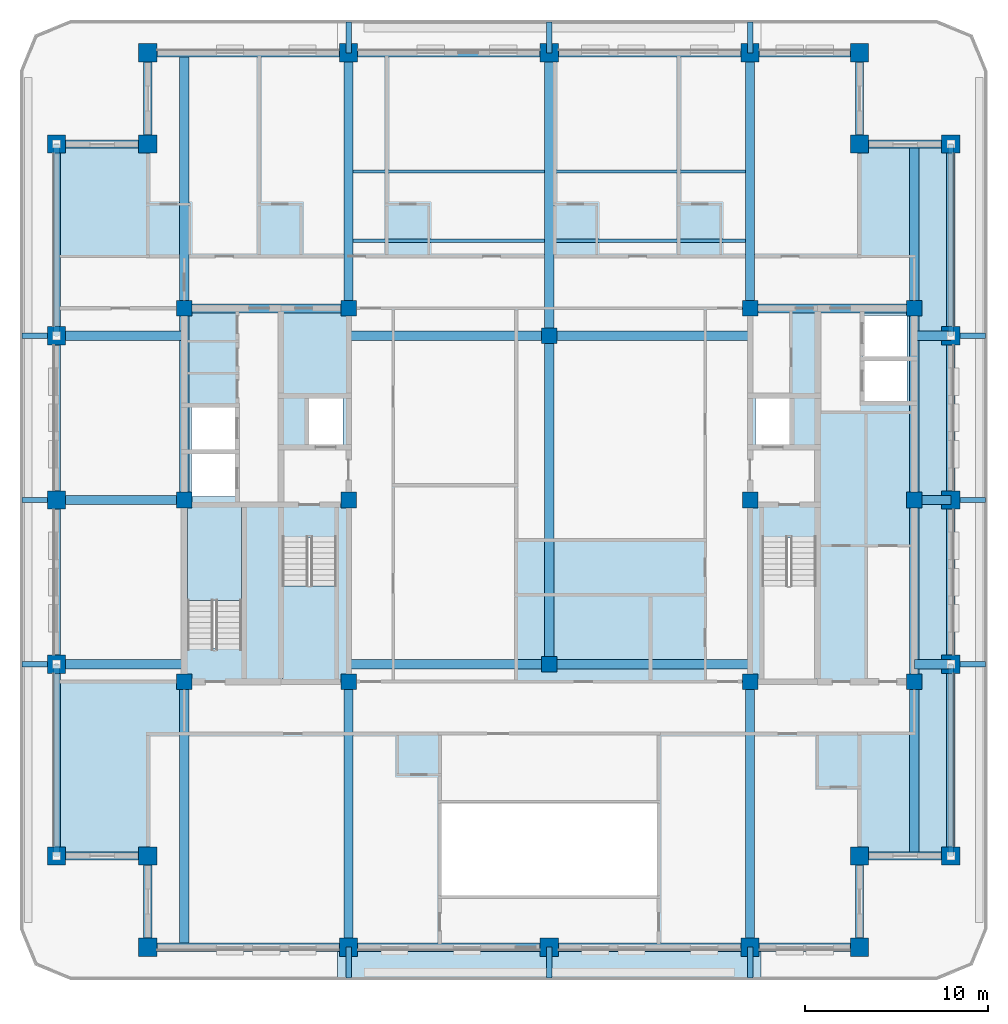
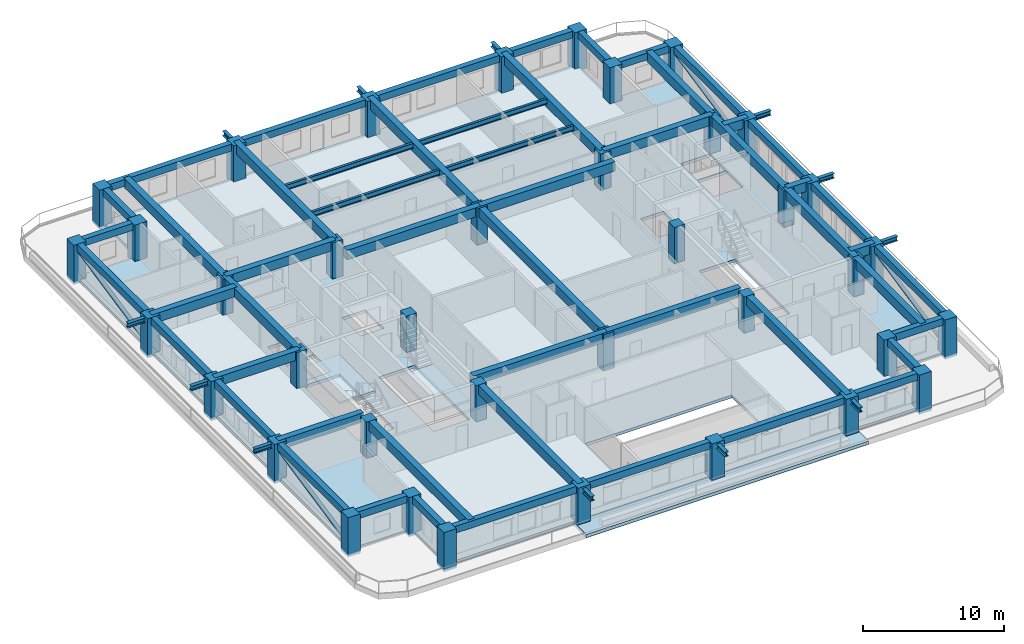
# One storey, part 1 of 14: 65 beams, 38 columns, 4 members, 4 slabs, 2 elements without a shape of their own.
"""IFC4 building model written with IfcOpenShell, lengths in metres."""

from ifc_helpers import new_model, si_unit, direction, frame, origin, origin_2d, place, context, subcontext, project, spatial, polyline, rectangle, hollow_circle, i_section, outline, extrude, material, layer, layer_set, material_profile, profile_set, type_object, element, aggregate, save


model = new_model("IFC4")

# Units and contexts
model_context = context("Model", 3, precision=1e-05, world=origin(), true_north=direction((0.0, 1.0)))
body_context = subcontext(model_context, "Body", "Model", "MODEL_VIEW")
ifc_project = project(units=[si_unit("LENGTHUNIT", "METRE"), si_unit("AREAUNIT", "SQUARE_METRE"), si_unit("VOLUMEUNIT", "CUBIC_METRE"), si_unit("PLANEANGLEUNIT", "RADIAN"), si_unit("MASSUNIT", "GRAM", prefix="KILO")], contexts=[model_context])

# Site, building, storey
site_placement = place(None, origin())
site = spatial("IfcSite", under=ifc_project, at=site_placement, CompositionType="ELEMENT")
building_placement = place(site_placement, origin())
building = spatial("IfcBuilding", under=site, at=building_placement, Name="Zulmaris Gate Convention Tower", CompositionType="ELEMENT")
storey_placement = place(building_placement, frame((0.0, 0.0, 215.260009765625)))
storey = spatial("IfcBuildingStorey", under=building, at=storey_placement, Name="L56", CompositionType="ELEMENT", Elevation=215.260009765625)

# Columns
ifc_material_1 = material(Name="Concrete C60/75", Category="concrete")
ifc_material_profile_1 = material_profile(ifc_material_1, rectangle(XDim=1.0, YDim=1.0, at=origin_2d()), Name="RC COL 1000x1000")
ifc_profile_set_1 = profile_set([ifc_material_profile_1], Name="Concrete C60/75")
column_type_1 = type_object("IfcColumnType", Name="COL-RC1000", PredefinedType="COLUMN", material=ifc_profile_set_1)
for number, where, z_axis, x_axis, name in (
    (1, (-22.0, -24.5, -0.25), (0.0, 0.0, 1.0), (1.0, 0.0, 0.0), "L56 Column PT--22.00_-24.50"),
    (2, (-11.0, -24.5, -0.25), (0.0, 0.0, 1.0), (1.0, 0.0, 0.0), "L56 Column PT--11.00_-24.50"),
    (3, (0.0, -24.5, -0.25), (0.0, 0.0, 1.0), (1.0, 0.0, 0.0), "L56 Column PT-+0.00_-24.50"),
    (4, (11.0, -24.5, -0.25), (0.0, 0.0, 1.0), (1.0, 0.0, 0.0), "L56 Column PT-+11.00_-24.50"),
    (5, (17.0, -24.5, -0.25), (0.0, 0.0, 1.0), (1.0, 0.0, 0.0), "L56 Column PT-+17.00_-24.50"),
    (6, (-22.0, 24.5, -0.25), (0.0, 0.0, 1.0), (1.0, 0.0, 0.0), "L56 Column PT--22.00_+24.50"),
    (7, (-11.0, 24.5, -0.25), (0.0, 0.0, 1.0), (1.0, 0.0, 0.0), "L56 Column PT--11.00_+24.50"),
    (8, (0.0, 24.5, -0.25), (0.0, 0.0, 1.0), (1.0, 0.0, 0.0), "L56 Column PT-+0.00_+24.50"),
    (9, (11.0, 24.5, -0.25), (0.0, 0.0, 1.0), (1.0, 0.0, 0.0), "L56 Column PT-+11.00_+24.50"),
    (10, (17.0, 24.5, -0.25), (0.0, 0.0, 1.0), (1.0, 0.0, 0.0), "L56 Column PT-+17.00_+24.50"),
    (11, (-27.0, -19.5, -0.25), (0.0, 0.0, 1.0), (1.0, 0.0, 0.0), "L56 Column PT--27.00_-19.50"),
    (12, (-27.0, -9.0, -0.25), (0.0, 0.0, 1.0), (1.0, 0.0, 0.0), "L56 Column PT--27.00_-9.00"),
    (13, (-27.0, 0.0, -0.25), (0.0, 0.0, 1.0), (1.0, 0.0, 0.0), "L56 Column PT--27.00_+0.00"),
    (14, (-27.0, 9.0, -0.25), (0.0, 0.0, 1.0), (1.0, 0.0, 0.0), "L56 Column PT--27.00_+9.00"),
    (15, (-27.0, 19.5, -0.25), (0.0, 0.0, 1.0), (1.0, 0.0, 0.0), "L56 Column PT--27.00_+19.50"),
    (16, (22.0, -19.5, -0.25), (0.0, 0.0, 1.0), (1.0, 0.0, 0.0), "L56 Column PT-+22.00_-19.50"),
    (17, (22.0, -9.0, -0.25), (0.0, 0.0, 1.0), (1.0, 0.0, 0.0), "L56 Column PT-+22.00_-9.00"),
    (18, (22.0, 0.0, -0.25), (0.0, 0.0, 1.0), (1.0, 0.0, 0.0), "L56 Column PT-+22.00_+0.00"),
    (19, (22.0, 9.0, -0.25), (0.0, 0.0, 1.0), (1.0, 0.0, 0.0), "L56 Column PT-+22.00_+9.00"),
    (20, (22.0, 19.5, -0.25), (0.0, 0.0, 1.0), (1.0, 0.0, 0.0), "L56 Column PT-+22.00_+19.50"),
    (21, (-22.0, -19.5, -0.25), (0.0, 0.0, 1.0), (1.0, 0.0, 0.0), "L56 Column PT--22.00_-19.50"),
    (22, (17.0, -19.5, -0.25), (0.0, 0.0, 1.0), (1.0, 0.0, 0.0), "L56 Column PT-+17.00_-19.50"),
    (23, (17.0, 19.5, -0.25), (0.0, 0.0, 1.0), (1.0, 0.0, 0.0), "L56 Column PT-+17.00_+19.50"),
    (24, (-22.0, 19.5, -0.25), (0.0, 0.0, 1.0), (1.0, 0.0, 0.0), "L56 Column PT--22.00_+19.50"),
):
    element("IfcColumn", number, at=place(storey_placement, frame(where, z_axis=z_axis, x_axis=x_axis)), inside=storey, type_object=column_type_1, Name=name, PredefinedType="COLUMN", context=body_context, shape_type="SweptSolid", body=[
        extrude(rectangle(XDim=1.0, YDim=1.0, at=origin_2d()), origin(), (0.0, 0.0, 1.0), 3.39990234375),
    ])
ifc_material_profile_2 = material_profile(ifc_material_1, rectangle(XDim=0.85009765625, YDim=0.85009765625, at=origin_2d()), Name="RC COL 850x850")
ifc_profile_set_2 = profile_set([ifc_material_profile_2], Name="Concrete C60/75")
column_type_2 = type_object("IfcColumnType", Name="COL-RC850", PredefinedType="COLUMN", material=ifc_profile_set_2)
for number, where, z_axis, x_axis, name in (
    (25, (-20.0, -9.949951171875, -0.25), (0.0, 0.0, 1.0), (1.0, 0.0, 0.0), "L56 Column IN--20.00_-9.95"),
    (26, (-20.0, 10.5, -0.25), (0.0, 0.0, 1.0), (1.0, 0.0, 0.0), "L56 Column IN--20.00_+10.50"),
    (27, (-11.0, -9.949951171875, -0.25), (0.0, 0.0, 1.0), (1.0, 0.0, 0.0), "L56 Column IN--11.00_-9.95"),
    (28, (-11.0, 0.0, -0.25), (0.0, 0.0, 1.0), (1.0, 0.0, 0.0), "L56 Column IN--11.00_+0.00"),
    (29, (-11.0, 10.5, -0.25), (0.0, 0.0, 1.0), (1.0, 0.0, 0.0), "L56 Column IN--11.00_+10.50"),
    (30, (11.0, -9.949951171875, -0.25), (0.0, 0.0, 1.0), (1.0, 0.0, 0.0), "L56 Column IN-+11.00_-9.95"),
    (31, (11.0, 0.0, -0.25), (0.0, 0.0, 1.0), (1.0, 0.0, 0.0), "L56 Column IN-+11.00_+0.00"),
    (32, (11.0, 10.5, -0.25), (0.0, 0.0, 1.0), (1.0, 0.0, 0.0), "L56 Column IN-+11.00_+10.50"),
    (33, (20.0, -9.949951171875, -0.25), (0.0, 0.0, 1.0), (1.0, 0.0, 0.0), "L56 Column IN-+20.00_-9.95"),
    (34, (20.0, 10.5, -0.25), (0.0, 0.0, 1.0), (1.0, 0.0, 0.0), "L56 Column IN-+20.00_+10.50"),
    (35, (0.0, -9.0, -0.25), (0.0, 0.0, 1.0), (1.0, 0.0, 0.0), "L56 Column IN-+0.00_-9.00"),
    (36, (0.0, 9.0, -0.25), (0.0, 0.0, 1.0), (1.0, 0.0, 0.0), "L56 Column IN-+0.00_+9.00"),
    (37, (-20.0, 0.0, -0.25), (0.0, 0.0, 1.0), (1.0, 0.0, 0.0), "L56 Column IN--20.00_+0.00"),
    (38, (20.0, 0.0, -0.25), (0.0, 0.0, 1.0), (1.0, 0.0, 0.0), "L56 Column IN-+20.00_+0.00"),
):
    element("IfcColumn", number, at=place(storey_placement, frame(where, z_axis=z_axis, x_axis=x_axis)), inside=storey, type_object=column_type_2, Name=name, PredefinedType="COLUMN", context=body_context, shape_type="SweptSolid", body=[
        extrude(rectangle(XDim=0.85009765625, YDim=0.85009765625, at=origin_2d()), origin(), (0.0, 0.0, 1.0), 3.39990234375),
    ])

# Beams
ifc_material_2 = material(Name="Steel S355", Category="steel")
ifc_material_profile_3 = material_profile(ifc_material_2, i_section(OverallWidth=0.300048828125, OverallDepth=0.39990234375, WebThickness=0.013427734375, FlangeThickness=0.02392578125, FilletRadius=0.027099609375, at=origin_2d()), Name="HEB 400")
ifc_profile_set_3 = profile_set([ifc_material_profile_3], Name="Steel S355")
beam_type_1 = type_object("IfcBeamType", Name="BM-HEB400", PredefinedType="BEAM", material=ifc_profile_set_3)
for number, where, z_axis, x_axis, name in (
    (39, (-11.0, -26.199951171875, 2.809814453125), (0.0, 1.0, 0.0), (-1.0, 0.0, 0.0), "L56 Beam TBRK-L56-S--11"),
    (40, (-11.0, 24.5, 2.809814453125), (0.0, 1.0, 0.0), (-1.0, 0.0, 0.0), "L56 Beam TBRK-L56-N--11"),
    (41, (0.0, -26.199951171875, 2.809814453125), (0.0, 1.0, 0.0), (-1.0, 0.0, 0.0), "L56 Beam TBRK-L56-S-+0"),
    (42, (0.0, 24.5, 2.809814453125), (0.0, 1.0, 0.0), (-1.0, 0.0, 0.0), "L56 Beam TBRK-L56-N-+0"),
    (43, (11.0, -26.199951171875, 2.809814453125), (0.0, 1.0, 0.0), (-1.0, 0.0, 0.0), "L56 Beam TBRK-L56-S-+11"),
    (44, (11.0, 24.5, 2.809814453125), (0.0, 1.0, 0.0), (-1.0, 0.0, 0.0), "L56 Beam TBRK-L56-N-+11"),
):
    element("IfcBeam", number, at=place(storey_placement, frame(where, z_axis=z_axis, x_axis=x_axis)), inside=storey, type_object=beam_type_1, Name=name, PredefinedType="BEAM", context=body_context, shape_type="SweptSolid", body=[
        extrude(i_section(OverallWidth=0.300048828125, OverallDepth=0.39990234375, WebThickness=0.013427734375, FlangeThickness=0.02392578125, FilletRadius=0.027099609375, at=origin_2d()), origin(), (0.0, 0.0, 1.0), 1.699951171875),
    ])
for number, where, z_axis, x_axis, name in (
    (45, (-28.89990234375, -9.0, 2.809814453125), (1.0, 0.0, 0.0), (0.0, 1.0, 0.0), "L56 Beam TBRK-L56-W--9"),
    (46, (22.0, -9.0, 2.809814453125), (1.0, 0.0, 0.0), (0.0, 1.0, 0.0), "L56 Beam TBRK-L56-E--9"),
    (47, (-28.89990234375, 0.0, 2.809814453125), (1.0, 0.0, 0.0), (0.0, 1.0, 0.0), "L56 Beam TBRK-L56-W-+0"),
    (48, (22.0, 0.0, 2.809814453125), (1.0, 0.0, 0.0), (0.0, 1.0, 0.0), "L56 Beam TBRK-L56-E-+0"),
    (49, (-28.89990234375, 9.0, 2.809814453125), (1.0, 0.0, 0.0), (0.0, 1.0, 0.0), "L56 Beam TBRK-L56-W-+9"),
    (50, (22.0, 9.0, 2.809814453125), (1.0, 0.0, 0.0), (0.0, 1.0, 0.0), "L56 Beam TBRK-L56-E-+9"),
):
    element("IfcBeam", number, at=place(storey_placement, frame(where, z_axis=z_axis, x_axis=x_axis)), inside=storey, type_object=beam_type_1, Name=name, PredefinedType="BEAM", context=body_context, shape_type="SweptSolid", body=[
        extrude(i_section(OverallWidth=0.300048828125, OverallDepth=0.39990234375, WebThickness=0.013427734375, FlangeThickness=0.02392578125, FilletRadius=0.027099609375, at=origin_2d()), origin(), (0.0, 0.0, 1.0), 1.89990234375),
    ])
ifc_material_3 = material(Name="Concrete C50/60", Category="concrete")
ifc_material_profile_4 = material_profile(ifc_material_3, rectangle(XDim=0.5, YDim=0.800048828125, at=origin_2d()), Name="RC BEAM 500x800")
ifc_profile_set_4 = profile_set([ifc_material_profile_4], Name="Concrete C50/60")
beam_type_2 = type_object("IfcBeamType", Name="BM-RC500x800", PredefinedType="BEAM", material=ifc_profile_set_4)
for number, where, z_axis, x_axis, name in (
    (51, (-11.0, -9.0, 2.75), (1.0, 0.0, 0.0), (0.0, 1.0, 0.0), "L56 Beam BM-L56-G01"),
    (52, (0.0, -9.0, 2.75), (1.0, 0.0, 0.0), (0.0, 1.0, 0.0), "L56 Beam BM-L56-G02"),
    (53, (-11.0, 9.0, 2.75), (1.0, 0.0, 0.0), (0.0, 1.0, 0.0), "L56 Beam BM-L56-G03"),
    (54, (0.0, 9.0, 2.75), (1.0, 0.0, 0.0), (0.0, 1.0, 0.0), "L56 Beam BM-L56-G04"),
):
    element("IfcBeam", number, at=place(storey_placement, frame(where, z_axis=z_axis, x_axis=x_axis)), inside=storey, type_object=beam_type_2, Name=name, PredefinedType="BEAM", context=body_context, shape_type="SweptSolid", body=[
        extrude(rectangle(XDim=0.5, YDim=0.800048828125, at=origin_2d()), origin(), (0.0, 0.0, 1.0), 11.0),
    ])
beam_1_placement = place(storey_placement, frame((0.0, -9.0, 2.75), z_axis=(0.0, 1.0, 0.0), x_axis=(-1.0, 0.0, 0.0)))
element("IfcBeam", 55, at=beam_1_placement, inside=storey, type_object=beam_type_2, Name="L56 Beam BM-L56-G06", PredefinedType="BEAM", context=body_context, shape_type="SweptSolid", body=[
    extrude(rectangle(XDim=0.5, YDim=0.800048828125, at=origin_2d()), origin(), (0.0, 0.0, 1.0), 18.0),
])
beam_2_placement = place(storey_placement, frame((0.0, 9.0, 2.75), z_axis=(0.0, 1.0, 0.0), x_axis=(-1.0, 0.0, 0.0)))
element("IfcBeam", 56, at=beam_2_placement, inside=storey, type_object=beam_type_2, Name="L56 Beam BM-L56-G07", PredefinedType="BEAM", context=body_context, shape_type="SweptSolid", body=[
    extrude(rectangle(XDim=0.5, YDim=0.800048828125, at=origin_2d()), origin(), (0.0, 0.0, 1.0), 15.5),
])
beam_3_placement = place(storey_placement, frame((-11.0, -24.5, 2.75), z_axis=(0.0, 1.0, 0.0), x_axis=(-1.0, 0.0, 0.0)))
element("IfcBeam", 57, at=beam_3_placement, inside=storey, type_object=beam_type_2, Name="L56 Beam BM-L56-G08", PredefinedType="BEAM", context=body_context, shape_type="SweptSolid", body=[
    extrude(rectangle(XDim=0.5, YDim=0.800048828125, at=origin_2d()), origin(), (0.0, 0.0, 1.0), 14.550048828125),
])
beam_4_placement = place(storey_placement, frame((-11.0, 10.5, 2.75), z_axis=(0.0, 1.0, 0.0), x_axis=(-1.0, 0.0, 0.0)))
element("IfcBeam", 58, at=beam_4_placement, inside=storey, type_object=beam_type_2, Name="L56 Beam BM-L56-G09", PredefinedType="BEAM", context=body_context, shape_type="SweptSolid", body=[
    extrude(rectangle(XDim=0.5, YDim=0.800048828125, at=origin_2d()), origin(), (0.0, 0.0, 1.0), 14.0),
])
beam_5_placement = place(storey_placement, frame((11.0, -24.5, 2.75), z_axis=(0.0, 1.0, 0.0), x_axis=(-1.0, 0.0, 0.0)))
element("IfcBeam", 59, at=beam_5_placement, inside=storey, type_object=beam_type_2, Name="L56 Beam BM-L56-G10", PredefinedType="BEAM", context=body_context, shape_type="SweptSolid", body=[
    extrude(rectangle(XDim=0.5, YDim=0.800048828125, at=origin_2d()), origin(), (0.0, 0.0, 1.0), 14.550048828125),
])
beam_6_placement = place(storey_placement, frame((11.0, 10.5, 2.75), z_axis=(0.0, 1.0, 0.0), x_axis=(-1.0, 0.0, 0.0)))
element("IfcBeam", 60, at=beam_6_placement, inside=storey, type_object=beam_type_2, Name="L56 Beam BM-L56-G11", PredefinedType="BEAM", context=body_context, shape_type="SweptSolid", body=[
    extrude(rectangle(XDim=0.5, YDim=0.800048828125, at=origin_2d()), origin(), (0.0, 0.0, 1.0), 14.0),
])
beam_7_placement = place(storey_placement, frame((-20.0, -24.5, 2.75), z_axis=(0.0, 1.0, 0.0), x_axis=(-1.0, 0.0, 0.0)))
element("IfcBeam", 61, at=beam_7_placement, inside=storey, type_object=beam_type_2, Name="L56 Beam BM-L56-G12", PredefinedType="BEAM", context=body_context, shape_type="SweptSolid", body=[
    extrude(rectangle(XDim=0.5, YDim=0.800048828125, at=origin_2d()), origin(), (0.0, 0.0, 1.0), 14.550048828125),
])
beam_8_placement = place(storey_placement, frame((-20.0, 10.5, 2.75), z_axis=(0.0, 1.0, 0.0), x_axis=(-1.0, 0.0, 0.0)))
element("IfcBeam", 62, at=beam_8_placement, inside=storey, type_object=beam_type_2, Name="L56 Beam BM-L56-G13", PredefinedType="BEAM", context=body_context, shape_type="SweptSolid", body=[
    extrude(rectangle(XDim=0.5, YDim=0.800048828125, at=origin_2d()), origin(), (0.0, 0.0, 1.0), 14.0),
])
beam_9_placement = place(storey_placement, frame((20.0, -19.5, 2.75), z_axis=(0.0, 1.0, 0.0), x_axis=(-1.0, 0.0, 0.0)))
element("IfcBeam", 63, at=beam_9_placement, inside=storey, type_object=beam_type_2, Name="L56 Beam BM-L56-G14", PredefinedType="BEAM", context=body_context, shape_type="SweptSolid", body=[
    extrude(rectangle(XDim=0.5, YDim=0.800048828125, at=origin_2d()), origin(), (0.0, 0.0, 1.0), 9.550048828125),
])
beam_10_placement = place(storey_placement, frame((20.0, 10.5, 2.75), z_axis=(0.0, 1.0, 0.0), x_axis=(-1.0, 0.0, 0.0)))
element("IfcBeam", 64, at=beam_10_placement, inside=storey, type_object=beam_type_2, Name="L56 Beam BM-L56-G15", PredefinedType="BEAM", context=body_context, shape_type="SweptSolid", body=[
    extrude(rectangle(XDim=0.5, YDim=0.800048828125, at=origin_2d()), origin(), (0.0, 0.0, 1.0), 9.0),
])
for number, where, z_axis, x_axis, name in (
    (65, (-27.0, -9.0, 2.75), (1.0, 0.0, 0.0), (0.0, 1.0, 0.0), "L56 Beam BM-L56-G16"),
    (66, (-27.0, 0.0, 2.75), (1.0, 0.0, 0.0), (0.0, 1.0, 0.0), "L56 Beam BM-L56-G17"),
    (67, (-27.0, 9.0, 2.75), (1.0, 0.0, 0.0), (0.0, 1.0, 0.0), "L56 Beam BM-L56-G18"),
):
    element("IfcBeam", number, at=place(storey_placement, frame(where, z_axis=z_axis, x_axis=x_axis)), inside=storey, type_object=beam_type_2, Name=name, PredefinedType="BEAM", context=body_context, shape_type="SweptSolid", body=[
        extrude(rectangle(XDim=0.5, YDim=0.800048828125, at=origin_2d()), origin(), (0.0, 0.0, 1.0), 7.0),
    ])
for number, where, z_axis, x_axis, name in (
    (68, (20.0, -9.0, 2.75), (1.0, 0.0, 0.0), (0.0, 1.0, 0.0), "L56 Beam BM-L56-G19"),
    (69, (20.0, 0.0, 2.75), (1.0, 0.0, 0.0), (0.0, 1.0, 0.0), "L56 Beam BM-L56-G20"),
    (70, (20.0, 9.0, 2.75), (1.0, 0.0, 0.0), (0.0, 1.0, 0.0), "L56 Beam BM-L56-G21"),
):
    element("IfcBeam", number, at=place(storey_placement, frame(where, z_axis=z_axis, x_axis=x_axis)), inside=storey, type_object=beam_type_2, Name=name, PredefinedType="BEAM", context=body_context, shape_type="SweptSolid", body=[
        extrude(rectangle(XDim=0.5, YDim=0.800048828125, at=origin_2d()), origin(), (0.0, 0.0, 1.0), 2.0),
    ])
for number, where, z_axis, x_axis, name in (
    (71, (-20.0, 10.5, 2.75), (1.0, 0.0, 0.0), (0.0, 1.0, 0.0), "L56 Beam BM-L56-G23"),
    (72, (11.0, 10.5, 2.75), (1.0, 0.0, 0.0), (0.0, 1.0, 0.0), "L56 Beam BM-L56-G25"),
):
    element("IfcBeam", number, at=place(storey_placement, frame(where, z_axis=z_axis, x_axis=x_axis)), inside=storey, type_object=beam_type_2, Name=name, PredefinedType="BEAM", context=body_context, shape_type="SweptSolid", body=[
        extrude(rectangle(XDim=0.5, YDim=0.800048828125, at=origin_2d()), origin(), (0.0, 0.0, 1.0), 9.0),
    ])
beam_11_placement = place(storey_placement, frame((-20.0, 0.0, 2.75), z_axis=(0.0, 1.0, 0.0), x_axis=(-1.0, 0.0, 0.0)))
element("IfcBeam", 73, at=beam_11_placement, inside=storey, type_object=beam_type_2, Name="L56 Beam BM-L56-G27", PredefinedType="BEAM", context=body_context, shape_type="SweptSolid", body=[
    extrude(rectangle(XDim=0.5, YDim=0.800048828125, at=origin_2d()), origin(), (0.0, 0.0, 1.0), 10.5),
])
beam_12_placement = place(storey_placement, frame((20.0, -9.949951171875, 2.75), z_axis=(0.0, 1.0, 0.0), x_axis=(-1.0, 0.0, 0.0)))
element("IfcBeam", 74, at=beam_12_placement, inside=storey, type_object=beam_type_2, Name="L56 Beam BM-L56-G28", PredefinedType="BEAM", context=body_context, shape_type="SweptSolid", body=[
    extrude(rectangle(XDim=0.5, YDim=0.800048828125, at=origin_2d()), origin(), (0.0, 0.0, 1.0), 9.949951171875),
])
beam_13_placement = place(storey_placement, frame((20.0, 0.0, 2.75), z_axis=(0.0, 1.0, 0.0), x_axis=(-1.0, 0.0, 0.0)))
element("IfcBeam", 75, at=beam_13_placement, inside=storey, type_object=beam_type_2, Name="L56 Beam BM-L56-G29", PredefinedType="BEAM", context=body_context, shape_type="SweptSolid", body=[
    extrude(rectangle(XDim=0.5, YDim=0.800048828125, at=origin_2d()), origin(), (0.0, 0.0, 1.0), 10.5),
])
ifc_material_4 = material(Name="Precast concrete C50/60", Category="concrete")
ifc_material_profile_5 = material_profile(ifc_material_4, rectangle(XDim=0.449951171875, YDim=0.60009765625, at=origin_2d()), Name="RC SPANDREL 450x600")
ifc_profile_set_5 = profile_set([ifc_material_profile_5], Name="Precast concrete C50/60")
beam_type_3 = type_object("IfcBeamType", Name="BM-SP450x600", PredefinedType="SPANDREL", material=ifc_profile_set_5)
for number, where, z_axis, x_axis, name in (
    (76, (-22.0, -24.5, 2.849853515625), (1.0, 0.0, 0.0), (0.0, 1.0, 0.0), "L56 Spandrel SP-L56-01"),
    (77, (-11.0, -24.5, 2.849853515625), (1.0, 0.0, 0.0), (0.0, 1.0, 0.0), "L56 Spandrel SP-L56-02"),
    (78, (0.0, -24.5, 2.849853515625), (1.0, 0.0, 0.0), (0.0, 1.0, 0.0), "L56 Spandrel SP-L56-03"),
):
    element("IfcBeam", number, at=place(storey_placement, frame(where, z_axis=z_axis, x_axis=x_axis)), inside=storey, type_object=beam_type_3, Name=name, PredefinedType="SPANDREL", context=body_context, shape_type="SweptSolid", body=[
        extrude(rectangle(XDim=0.449951171875, YDim=0.60009765625, at=origin_2d()), origin(), (0.0, 0.0, 1.0), 11.0),
    ])
beam_14_placement = place(storey_placement, frame((11.0, -24.5, 2.849853515625), z_axis=(1.0, 0.0, 0.0), x_axis=(0.0, 1.0, 0.0)))
element("IfcBeam", 79, at=beam_14_placement, inside=storey, type_object=beam_type_3, Name="L56 Spandrel SP-L56-04", PredefinedType="SPANDREL", context=body_context, shape_type="SweptSolid", body=[
    extrude(rectangle(XDim=0.449951171875, YDim=0.60009765625, at=origin_2d()), origin(), (0.0, 0.0, 1.0), 6.0),
])
for number, where, z_axis, x_axis, name in (
    (80, (17.0, -24.5, 2.849853515625), (0.0, 1.0, 0.0), (-1.0, 0.0, 0.0), "L56 Spandrel SP-L56-05"),
    (81, (17.0, -19.5, 2.849853515625), (1.0, 0.0, 0.0), (0.0, 1.0, 0.0), "L56 Spandrel SP-L56-06"),
):
    element("IfcBeam", number, at=place(storey_placement, frame(where, z_axis=z_axis, x_axis=x_axis)), inside=storey, type_object=beam_type_3, Name=name, PredefinedType="SPANDREL", context=body_context, shape_type="SweptSolid", body=[
        extrude(rectangle(XDim=0.449951171875, YDim=0.60009765625, at=origin_2d()), origin(), (0.0, 0.0, 1.0), 5.0),
    ])
beam_15_placement = place(storey_placement, frame((22.0, -19.5, 2.849853515625), z_axis=(0.0, 1.0, 0.0), x_axis=(-1.0, 0.0, 0.0)))
element("IfcBeam", 82, at=beam_15_placement, inside=storey, type_object=beam_type_3, Name="L56 Spandrel SP-L56-07", PredefinedType="SPANDREL", context=body_context, shape_type="SweptSolid", body=[
    extrude(rectangle(XDim=0.449951171875, YDim=0.60009765625, at=origin_2d()), origin(), (0.0, 0.0, 1.0), 10.5),
])
for number, where, z_axis, x_axis, name in (
    (83, (22.0, -9.0, 2.849853515625), (0.0, 1.0, 0.0), (-1.0, 0.0, 0.0), "L56 Spandrel SP-L56-08"),
    (84, (22.0, 0.0, 2.849853515625), (0.0, 1.0, 0.0), (-1.0, 0.0, 0.0), "L56 Spandrel SP-L56-09"),
):
    element("IfcBeam", number, at=place(storey_placement, frame(where, z_axis=z_axis, x_axis=x_axis)), inside=storey, type_object=beam_type_3, Name=name, PredefinedType="SPANDREL", context=body_context, shape_type="SweptSolid", body=[
        extrude(rectangle(XDim=0.449951171875, YDim=0.60009765625, at=origin_2d()), origin(), (0.0, 0.0, 1.0), 9.0),
    ])
beam_16_placement = place(storey_placement, frame((22.0, 9.0, 2.849853515625), z_axis=(0.0, 1.0, 0.0), x_axis=(-1.0, 0.0, 0.0)))
element("IfcBeam", 85, at=beam_16_placement, inside=storey, type_object=beam_type_3, Name="L56 Spandrel SP-L56-10", PredefinedType="SPANDREL", context=body_context, shape_type="SweptSolid", body=[
    extrude(rectangle(XDim=0.449951171875, YDim=0.60009765625, at=origin_2d()), origin(), (0.0, 0.0, 1.0), 10.5),
])
for number, where, z_axis, x_axis, name in (
    (86, (22.0, 19.5, 2.849853515625), (-1.0, 0.0, 0.0), (0.0, -1.0, 0.0), "L56 Spandrel SP-L56-11"),
    (87, (17.0, 19.5, 2.849853515625), (0.0, 1.0, 0.0), (-1.0, 0.0, 0.0), "L56 Spandrel SP-L56-12"),
):
    element("IfcBeam", number, at=place(storey_placement, frame(where, z_axis=z_axis, x_axis=x_axis)), inside=storey, type_object=beam_type_3, Name=name, PredefinedType="SPANDREL", context=body_context, shape_type="SweptSolid", body=[
        extrude(rectangle(XDim=0.449951171875, YDim=0.60009765625, at=origin_2d()), origin(), (0.0, 0.0, 1.0), 5.0),
    ])
beam_17_placement = place(storey_placement, frame((17.0, 24.5, 2.849853515625), z_axis=(-1.0, 0.0, 0.0), x_axis=(0.0, -1.0, 0.0)))
element("IfcBeam", 88, at=beam_17_placement, inside=storey, type_object=beam_type_3, Name="L56 Spandrel SP-L56-13", PredefinedType="SPANDREL", context=body_context, shape_type="SweptSolid", body=[
    extrude(rectangle(XDim=0.449951171875, YDim=0.60009765625, at=origin_2d()), origin(), (0.0, 0.0, 1.0), 6.0),
])
for number, where, z_axis, x_axis, name in (
    (89, (11.0, 24.5, 2.849853515625), (-1.0, 0.0, 0.0), (0.0, -1.0, 0.0), "L56 Spandrel SP-L56-14"),
    (90, (0.0, 24.5, 2.849853515625), (-1.0, 0.0, 0.0), (0.0, -1.0, 0.0), "L56 Spandrel SP-L56-15"),
    (91, (-11.0, 24.5, 2.849853515625), (-1.0, 0.0, 0.0), (0.0, -1.0, 0.0), "L56 Spandrel SP-L56-16"),
):
    element("IfcBeam", number, at=place(storey_placement, frame(where, z_axis=z_axis, x_axis=x_axis)), inside=storey, type_object=beam_type_3, Name=name, PredefinedType="SPANDREL", context=body_context, shape_type="SweptSolid", body=[
        extrude(rectangle(XDim=0.449951171875, YDim=0.60009765625, at=origin_2d()), origin(), (0.0, 0.0, 1.0), 11.0),
    ])
for number, where, z_axis, x_axis, name in (
    (92, (-22.0, 24.5, 2.849853515625), (0.0, -1.0, 0.0), (1.0, 0.0, 0.0), "L56 Spandrel SP-L56-17"),
    (93, (-22.0, 19.5, 2.849853515625), (-1.0, 0.0, 0.0), (0.0, -1.0, 0.0), "L56 Spandrel SP-L56-18"),
):
    element("IfcBeam", number, at=place(storey_placement, frame(where, z_axis=z_axis, x_axis=x_axis)), inside=storey, type_object=beam_type_3, Name=name, PredefinedType="SPANDREL", context=body_context, shape_type="SweptSolid", body=[
        extrude(rectangle(XDim=0.449951171875, YDim=0.60009765625, at=origin_2d()), origin(), (0.0, 0.0, 1.0), 5.0),
    ])
beam_18_placement = place(storey_placement, frame((-27.0, 19.5, 2.849853515625), z_axis=(0.0, -1.0, 0.0), x_axis=(1.0, 0.0, 0.0)))
element("IfcBeam", 94, at=beam_18_placement, inside=storey, type_object=beam_type_3, Name="L56 Spandrel SP-L56-19", PredefinedType="SPANDREL", context=body_context, shape_type="SweptSolid", body=[
    extrude(rectangle(XDim=0.449951171875, YDim=0.60009765625, at=origin_2d()), origin(), (0.0, 0.0, 1.0), 10.5),
])
for number, where, z_axis, x_axis, name in (
    (95, (-27.0, 9.0, 2.849853515625), (0.0, -1.0, 0.0), (1.0, 0.0, 0.0), "L56 Spandrel SP-L56-20"),
    (96, (-27.0, 0.0, 2.849853515625), (0.0, -1.0, 0.0), (1.0, 0.0, 0.0), "L56 Spandrel SP-L56-21"),
):
    element("IfcBeam", number, at=place(storey_placement, frame(where, z_axis=z_axis, x_axis=x_axis)), inside=storey, type_object=beam_type_3, Name=name, PredefinedType="SPANDREL", context=body_context, shape_type="SweptSolid", body=[
        extrude(rectangle(XDim=0.449951171875, YDim=0.60009765625, at=origin_2d()), origin(), (0.0, 0.0, 1.0), 9.0),
    ])
beam_19_placement = place(storey_placement, frame((-27.0, -9.0, 2.849853515625), z_axis=(0.0, -1.0, 0.0), x_axis=(1.0, 0.0, 0.0)))
element("IfcBeam", 97, at=beam_19_placement, inside=storey, type_object=beam_type_3, Name="L56 Spandrel SP-L56-22", PredefinedType="SPANDREL", context=body_context, shape_type="SweptSolid", body=[
    extrude(rectangle(XDim=0.449951171875, YDim=0.60009765625, at=origin_2d()), origin(), (0.0, 0.0, 1.0), 10.5),
])
for number, where, z_axis, x_axis, name in (
    (98, (-27.0, -19.5, 2.849853515625), (1.0, 0.0, 0.0), (0.0, 1.0, 0.0), "L56 Spandrel SP-L56-23"),
    (99, (-22.0, -19.5, 2.849853515625), (0.0, -1.0, 0.0), (1.0, 0.0, 0.0), "L56 Spandrel SP-L56-24"),
):
    element("IfcBeam", number, at=place(storey_placement, frame(where, z_axis=z_axis, x_axis=x_axis)), inside=storey, type_object=beam_type_3, Name=name, PredefinedType="SPANDREL", context=body_context, shape_type="SweptSolid", body=[
        extrude(rectangle(XDim=0.449951171875, YDim=0.60009765625, at=origin_2d()), origin(), (0.0, 0.0, 1.0), 5.0),
    ])

# Members
ifc_material_profile_6 = material_profile(ifc_material_2, hollow_circle(Radius=0.161865234375, WallThickness=0.01611328125, at=origin_2d()), Name="CHS 323.9x16")
ifc_profile_set_6 = profile_set([ifc_material_profile_6], Name="Steel S355")
member_type = type_object("IfcMemberType", Name="BR-CHS324", PredefinedType="BRACE", material=ifc_profile_set_6)
for number, where, z_axis, x_axis, name in (
    (100, (-27.0, -19.5, 0.300048828125), (0.0, 0.978187512575, 0.207723831667), (-1.0, 0.0, 0.0), "L56 Perimeter Tube Diagonal SW-W"),
    (101, (-27.0, 9.0, 0.300048828125), (0.0, 0.978187512575, 0.207723831667), (-1.0, 0.0, 0.0), "L56 Perimeter Tube Diagonal NW-W"),
    (102, (22.0, -19.5, 0.300048828125), (0.0, 0.978187512575, 0.207723831667), (-1.0, 0.0, 0.0), "L56 Perimeter Tube Diagonal SE-E"),
    (103, (22.0, 9.0, 0.300048828125), (0.0, 0.978187512575, 0.207723831667), (-1.0, 0.0, 0.0), "L56 Perimeter Tube Diagonal NE-E"),
):
    element("IfcMember", number, at=place(storey_placement, frame(where, z_axis=z_axis, x_axis=x_axis)), inside=storey, type_object=member_type, Name=name, PredefinedType="BRACE", context=body_context, shape_type="SweptSolid", body=[
        extrude(hollow_circle(Radius=0.161865234375, WallThickness=0.01611328125, at=origin_2d()), origin(), (0.0, 0.0, 1.0), 10.734130859375),
    ])

# Beams
ifc_material_profile_7 = material_profile(ifc_material_2, i_section(OverallWidth=0.18994140625, OverallDepth=0.449951171875, WebThickness=0.009521484375, FlangeThickness=0.0146484375, FilletRadius=0.02099609375, at=origin_2d()), Name="IPE 450")
ifc_profile_set_7 = profile_set([ifc_material_profile_7], Name="Steel S355")
beam_type_4 = type_object("IfcBeamType", Name="JT-IPE450", PredefinedType="JOIST", material=ifc_profile_set_7)
for number, where, z_axis, x_axis, name in (
    (104, (-10.75, 14.199951171875, 2.9228515625), (1.0, 0.0, 0.0), (0.0, 1.0, 0.0), "L56 Joist JT-L56-CW-+14.2"),
    (105, (0.25, 14.199951171875, 2.9228515625), (1.0, 0.0, 0.0), (0.0, 1.0, 0.0), "L56 Joist JT-L56-CE-+14.2"),
    (106, (-10.75, 18.0, 2.9228515625), (1.0, 0.0, 0.0), (0.0, 1.0, 0.0), "L56 Joist JT-L56-CW-+18.0"),
    (107, (0.25, 18.0, 2.9228515625), (1.0, 0.0, 0.0), (0.0, 1.0, 0.0), "L56 Joist JT-L56-CE-+18.0"),
):
    element("IfcBeam", number, at=place(storey_placement, frame(where, z_axis=z_axis, x_axis=x_axis)), inside=storey, type_object=beam_type_4, Name=name, PredefinedType="JOIST", context=body_context, shape_type="SweptSolid", body=[
        extrude(i_section(OverallWidth=0.18994140625, OverallDepth=0.449951171875, WebThickness=0.009521484375, FlangeThickness=0.0146484375, FilletRadius=0.02099609375, at=origin_2d()), origin(), (0.0, 0.0, 1.0), 10.5),
    ])

# Slabs
ifc_layer_1 = layer(ifc_material_4, 0.260009765625, Name="Precast concrete C50/60")
ifc_layer_set_1 = layer_set([ifc_layer_1], Name="Precast concrete C50/60")
slab_type_1 = type_object("IfcSlabType", Name="SL-BAL-260", PredefinedType="FLOOR", material=ifc_layer_set_1)
slab_1_placement = place(storey_placement, frame((0.0, 0.0, -0.324951171875)))
element("IfcSlab", 108, at=slab_1_placement, inside=storey, type_object=slab_type_1, Name="L56 South Tree-Balcony Planter Slab", PredefinedType="FLOOR", context=body_context, shape_type="SweptSolid", body=[
    extrude(outline(polyline([(-11.597900390625, -26.300048828125), (-11.597900390625, -24.5), (11.597900390625, -24.5), (11.597900390625, -26.300048828125), (-11.597900390625, -26.300048828125)])), origin(), (0.0, 0.0, 1.0), 0.284912109375),
])
ifc_layer_2 = layer(ifc_material_3, 0.25, Name="Concrete C50/60")
ifc_layer_set_2 = layer_set([ifc_layer_2], Name="Concrete C50/60")
slab_type_2 = type_object("IfcSlabType", Name="SL-FLR-250", PredefinedType="FLOOR", material=ifc_layer_set_2)
slab_2_placement = place(storey_placement, frame((0.0, 0.0, -0.25)))
element("IfcSlab", 109, at=slab_2_placement, inside=storey, type_object=slab_type_2, Name="L56 Shifted Notched-Square Structural Floor Slab", PredefinedType="FLOOR", context=body_context, shape_type="SweptSolid", body=[
    extrude(outline(polyline([(-22.0, -24.5), (17.0, -24.5), (17.0, -19.5), (22.0, -19.5), (22.0, 19.5), (17.0, 19.5), (17.0, 24.5), (-22.0, 24.5), (-22.0, 19.5), (-27.0, 19.5), (-27.0, -19.5), (-22.0, -19.5), (-22.0, -24.5)]), holes=[polyline([(-14.6201171875, -2.080078125), (-14.6201171875, -9.85009765625), (-11.659912109375, -9.85009765625), (-11.659912109375, -2.080078125), (-14.6201171875, -2.080078125)]), polyline([(11.659912109375, -2.080078125), (11.659912109375, -9.85009765625), (14.6201171875, -9.85009765625), (14.6201171875, -2.080078125), (11.659912109375, -2.080078125)]), polyline([(-16.860107421875, -8.1201171875), (-16.860107421875, -0.35009765625), (-19.820068359375, -0.35009765625), (-19.820068359375, -8.1201171875), (-16.860107421875, -8.1201171875)]), polyline([(-13.199951171875, 3.0), (-11.300048828125, 3.0), (-11.300048828125, 5.60009765625), (-13.199951171875, 5.60009765625), (-13.199951171875, 3.0)]), polyline([(11.300048828125, 3.0), (13.199951171875, 3.0), (13.199951171875, 5.60009765625), (11.300048828125, 5.60009765625), (11.300048828125, 3.0)]), polyline([(17.199951171875, 5.39990234375), (19.60009765625, 5.39990234375), (19.60009765625, 7.699951171875), (17.199951171875, 7.699951171875), (17.199951171875, 5.39990234375)]), polyline([(17.199951171875, 7.800048828125), (19.60009765625, 7.800048828125), (19.60009765625, 10.10009765625), (17.199951171875, 10.10009765625), (17.199951171875, 7.800048828125)]), polyline([(-19.60009765625, 0.199951171875), (-17.199951171875, 0.199951171875), (-17.199951171875, 2.60009765625), (-19.60009765625, 2.60009765625), (-19.60009765625, 0.199951171875)]), polyline([(-19.60009765625, 2.699951171875), (-17.199951171875, 2.699951171875), (-17.199951171875, 5.10009765625), (-19.60009765625, 5.10009765625), (-19.60009765625, 2.699951171875)]), polyline([(-6.0, -21.75), (6.0, -21.75), (6.0, -16.550048828125), (-6.0, -16.550048828125), (-6.0, -21.75)])]), origin(), (0.0, 0.0, 1.0), 0.25),
])

# Stair, slab
ifc_material_5 = material(Name="Concrete C45/55", Category="concrete")
stair_type = type_object("IfcStairType", Name="ST-CORE-DOGLEG", PredefinedType="HALF_TURN_STAIR", material=ifc_material_5)
stair_1_placement = place(storey_placement, origin())
stair_1 = element("IfcStair", 110, at=stair_1_placement, inside=storey, type_object=stair_type, Name="L56 Core Exit Stair ST-1", PredefinedType="HALF_TURN_STAIR")
ifc_layer_3 = layer(ifc_material_5, 0.199951171875, Name="Concrete C45/55")
ifc_layer_set_3 = layer_set([ifc_layer_3], Name="Concrete C45/55")
slab_type_3 = type_object("IfcSlabType", Name="SL-LND-200", PredefinedType="LANDING", material=ifc_layer_set_3)
slab_3_placement = place(storey_placement, frame((0.0, 0.0, 1.5)))
slab_3 = element("IfcSlab", 111, at=slab_3_placement, type_object=slab_type_3, Name="ST-1 landing 1", PredefinedType="LANDING", context=body_context, shape_type="SweptSolid", body=[
    extrude(outline(polyline([(-14.6201171875, -4.699951171875), (-14.6201171875, -9.85009765625), (-11.659912109375, -9.85009765625), (-11.659912109375, -4.699951171875), (-14.6201171875, -4.699951171875)])), origin(), (0.0, 0.0, 1.0), 0.199951171875),
])
aggregate(stair_1, [slab_3])

stair_2_placement = place(storey_placement, origin())
stair_2 = element("IfcStair", 112, at=stair_2_placement, inside=storey, type_object=stair_type, Name="L56 Core Exit Stair ST-3", PredefinedType="HALF_TURN_STAIR")
slab_4_placement = place(storey_placement, frame((0.0, 0.0, 1.5)))
slab_4 = element("IfcSlab", 113, at=slab_4_placement, type_object=slab_type_3, Name="ST-3 landing 1", PredefinedType="LANDING", context=body_context, shape_type="SweptSolid", body=[
    extrude(outline(polyline([(-16.860107421875, -5.5), (-16.860107421875, -0.35009765625), (-19.820068359375, -0.35009765625), (-19.820068359375, -5.5), (-16.860107421875, -5.5)])), origin(), (0.0, 0.0, 1.0), 0.199951171875),
])
aggregate(stair_2, [slab_4])

save(model, "model.ifc")
